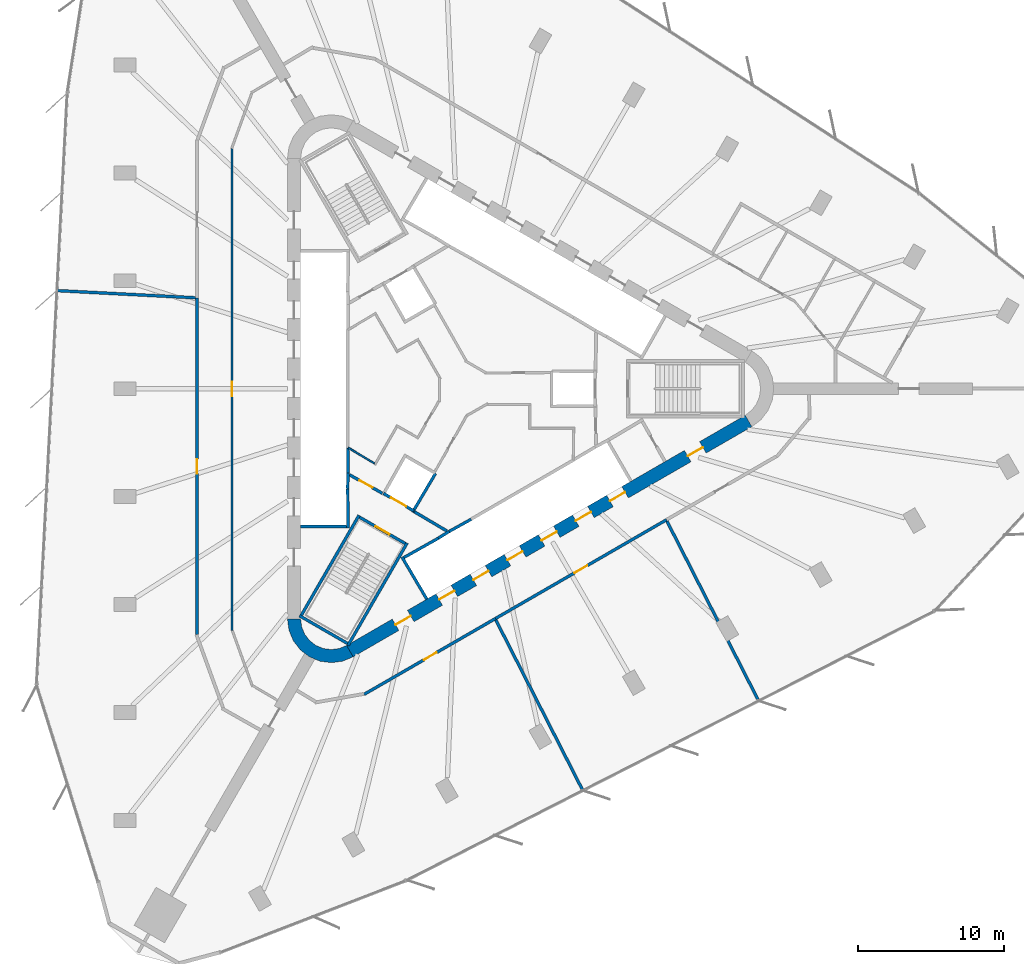
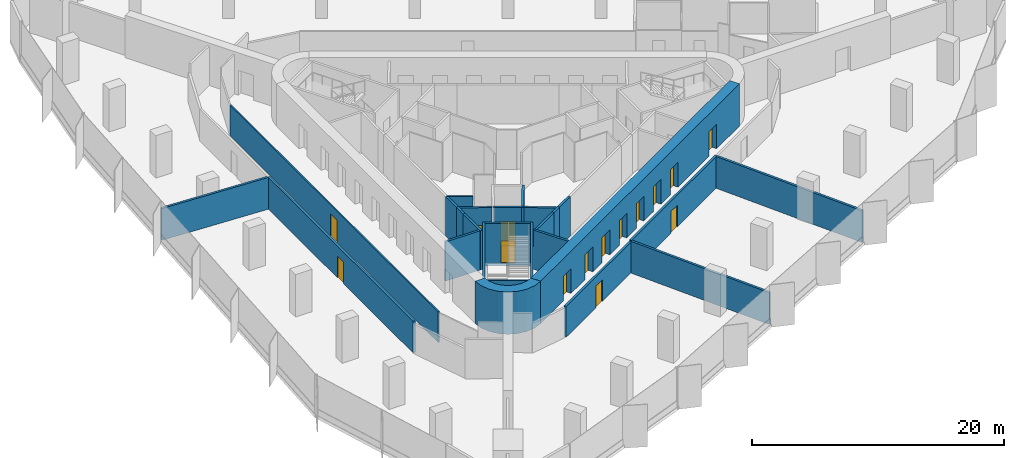
# One storey, part 9 of 14: 26 walls, 15 doors, 15 openings.
"""IFC4 building model written with IfcOpenShell, lengths in metres."""

from ifc_helpers import new_model, si_unit, direction, frame, frame_2d, origin, place, context, subcontext, project, spatial, polyline, rectangle, outline, extrude, material, layer, layer_set, type_object, element, fill, save


model = new_model("IFC4")

# Units and contexts
model_context = context("Model", 3, precision=1e-05, world=origin(), true_north=direction((0.0, 1.0)))
body_context = subcontext(model_context, "Body", "Model", "MODEL_VIEW")
ifc_project = project(units=[si_unit("LENGTHUNIT", "METRE"), si_unit("AREAUNIT", "SQUARE_METRE"), si_unit("VOLUMEUNIT", "CUBIC_METRE"), si_unit("PLANEANGLEUNIT", "RADIAN"), si_unit("MASSUNIT", "GRAM", prefix="KILO")], contexts=[model_context])

# Site, building, storey
site_placement = place(None, origin())
site = spatial("IfcSite", under=ifc_project, at=site_placement, CompositionType="ELEMENT")
building_placement = place(site_placement, origin())
building = spatial("IfcBuilding", under=site, at=building_placement, Name="Tanit Gate Tower", CompositionType="ELEMENT")
storey_placement = place(building_placement, frame((0.0, 0.0, 78.300048828125)))
storey = spatial("IfcBuildingStorey", under=building, at=storey_placement, Name="L15", CompositionType="ELEMENT", Elevation=78.300048828125)

# Wall, openings, doors
ifc_material_1 = material(Name="Concrete C60/75", Category="concrete")
ifc_layer_1 = layer(ifc_material_1, 0.89990234375)
ifc_layer_set_1 = layer_set([ifc_layer_1], Name="CORE WALL 900 C60/75")
wall_type_1 = type_object("IfcWallType", Name="CORE WALL 900 C60/75", PredefinedType="SHEAR", material=ifc_layer_set_1)
wall_1_placement = place(storey_placement, frame((-7.824951171875, -17.969970703125, 0.0), z_axis=(0.0, 0.0, 1.0), x_axis=(0.866028369851, 0.499994862586, 0.0)))
wall_1 = element("IfcWall", 1, at=wall_1_placement, inside=storey, type_object=wall_type_1, Name="CORE WALL", PredefinedType="SHEAR", context=body_context, shape_type="SweptSolid", body=[
    extrude(rectangle(XDim=31.523193359375, YDim=0.89990234375, at=frame_2d((15.76171875, 0.0))), origin(), (0.0, 0.0, 1.0), 4.099853515625),
])
opening_1_placement = place(wall_1_placement, frame((7.061767578125, 0.0, 0.0)))
opening_1 = element("IfcOpeningElement", 2, at=opening_1_placement, cuts=wall_1, Name="Opening LDSX1-S02", PredefinedType="OPENING", context=body_context, shape_type="SweptSolid", body=[
    extrude(rectangle(XDim=1.199951171875, YDim=2.39990234375, at=frame_2d((0.60009765625, 1.199951171875))), frame((0.0, 0.4599609375, 0.0), z_axis=(0.0, -1.0, 0.0), x_axis=(1.0, 0.0, 0.0)), (0.0, 0.0, 1.0), 0.919921875),
])
opening_2_placement = place(wall_1_placement, frame((9.76171875, 0.0, 0.0)))
opening_2 = element("IfcOpeningElement", 3, at=opening_2_placement, cuts=wall_1, Name="Opening LDSX2-S02", PredefinedType="OPENING", context=body_context, shape_type="SweptSolid", body=[
    extrude(rectangle(XDim=1.199951171875, YDim=2.39990234375, at=frame_2d((0.60009765625, 1.199951171875))), frame((0.0, 0.4599609375, 0.0), z_axis=(0.0, -1.0, 0.0), x_axis=(1.0, 0.0, 0.0)), (0.0, 0.0, 1.0), 0.919921875),
])
opening_3_placement = place(wall_1_placement, frame((12.461669921875, 0.0, 0.0)))
opening_3 = element("IfcOpeningElement", 4, at=opening_3_placement, cuts=wall_1, Name="Opening LDSX3-S02", PredefinedType="OPENING", context=body_context, shape_type="SweptSolid", body=[
    extrude(rectangle(XDim=1.199951171875, YDim=2.39990234375, at=frame_2d((0.60009765625, 1.199951171875))), frame((0.0, 0.4599609375, 0.0), z_axis=(0.0, -1.0, 0.0), x_axis=(1.0, 0.0, 0.0)), (0.0, 0.0, 1.0), 0.919921875),
])
opening_4_placement = place(wall_1_placement, frame((15.16162109375, 0.0, 0.0)))
opening_4 = element("IfcOpeningElement", 5, at=opening_4_placement, cuts=wall_1, Name="Opening LDSX4-S02", PredefinedType="OPENING", context=body_context, shape_type="SweptSolid", body=[
    extrude(rectangle(XDim=1.199951171875, YDim=2.39990234375, at=frame_2d((0.60009765625, 1.199951171875))), frame((0.0, 0.4599609375, 0.0), z_axis=(0.0, -1.0, 0.0), x_axis=(1.0, 0.0, 0.0)), (0.0, 0.0, 1.0), 0.919921875),
])
opening_5_placement = place(wall_1_placement, frame((17.861572265625, 0.0, 0.0)))
opening_5 = element("IfcOpeningElement", 6, at=opening_5_placement, cuts=wall_1, Name="Opening LDSV1-S02", PredefinedType="OPENING", context=body_context, shape_type="SweptSolid", body=[
    extrude(rectangle(XDim=1.199951171875, YDim=2.39990234375, at=frame_2d((0.60009765625, 1.199951171875))), frame((0.0, 0.4599609375, 0.0), z_axis=(0.0, -1.0, 0.0), x_axis=(1.0, 0.0, 0.0)), (0.0, 0.0, 1.0), 0.919921875),
])
opening_6_placement = place(wall_1_placement, frame((20.561767578125, 0.0, 0.0)))
opening_6 = element("IfcOpeningElement", 7, at=opening_6_placement, cuts=wall_1, Name="Opening LDSV2-S02", PredefinedType="OPENING", context=body_context, shape_type="SweptSolid", body=[
    extrude(rectangle(XDim=1.199951171875, YDim=2.39990234375, at=frame_2d((0.60009765625, 1.199951171875))), frame((0.0, 0.4599609375, 0.0), z_axis=(0.0, -1.0, 0.0), x_axis=(1.0, 0.0, 0.0)), (0.0, 0.0, 1.0), 0.919921875),
])
opening_7_placement = place(wall_1_placement, frame((26.711669921875, 0.0, 0.0)))
opening_7 = element("IfcOpeningElement", 8, at=opening_7_placement, cuts=wall_1, Name="Opening F12-S02-S1", PredefinedType="OPENING", context=body_context, shape_type="SweptSolid", body=[
    extrude(rectangle(XDim=1.199951171875, YDim=2.39990234375, at=frame_2d((0.60009765625, 1.199951171875))), frame((0.0, 0.4599609375, 0.0), z_axis=(0.0, -1.0, 0.0), x_axis=(1.0, 0.0, 0.0)), (0.0, 0.0, 1.0), 0.919921875),
])
opening_8_placement = place(wall_1_placement, frame((3.611572265625, 0.0, 0.0)))
opening_8 = element("IfcOpeningElement", 9, at=opening_8_placement, cuts=wall_1, Name="Opening F12-S02-FL3", PredefinedType="OPENING", context=body_context, shape_type="SweptSolid", body=[
    extrude(rectangle(XDim=1.199951171875, YDim=2.39990234375, at=frame_2d((0.60009765625, 1.199951171875))), frame((0.0, 0.4599609375, 0.0), z_axis=(0.0, -1.0, 0.0), x_axis=(1.0, 0.0, 0.0)), (0.0, 0.0, 1.0), 0.919921875),
])
ifc_material_2 = material(Name="Fire-rated steel door leaf", Category="steel")
door_type_1 = type_object("IfcDoorType", Name="INT-DOOR-FIRE-LOBBY-1200", OperationType="NOTDEFINED", PredefinedType="USERDEFINED", material=ifc_material_2)
door_1_placement = place(opening_7_placement, origin())
door_1 = element("IfcDoor", 10, at=door_1_placement, inside=storey, type_object=door_type_1, Name="Door F12-S02-S1", ObjectType="FIRE DOOR", OperationType="SINGLE_SWING_RIGHT", OverallHeight=2.39990234375, OverallWidth=1.199951171875, PredefinedType="USERDEFINED", context=body_context, shape_type="SweptSolid", body=[
    extrude(rectangle(XDim=1.199951171875, YDim=2.39990234375, at=frame_2d((0.60009765625, 1.199951171875))), frame((0.0, 0.02490234375, 0.0), z_axis=(0.0, -1.0, 0.0), x_axis=(1.0, 0.0, 0.0)), (0.0, 0.0, 1.0), 0.050048828125),
])
fill(opening_7, door_1)
door_2_placement = place(opening_8_placement, origin())
door_2 = element("IfcDoor", 11, at=door_2_placement, inside=storey, type_object=door_type_1, Name="Door F12-S02-FL3", ObjectType="FIRE DOOR", OperationType="SINGLE_SWING_RIGHT", OverallHeight=2.39990234375, OverallWidth=1.199951171875, PredefinedType="USERDEFINED", context=body_context, shape_type="SweptSolid", body=[
    extrude(rectangle(XDim=1.199951171875, YDim=2.39990234375, at=frame_2d((0.60009765625, 1.199951171875))), frame((0.0, 0.02490234375, 0.0), z_axis=(0.0, -1.0, 0.0), x_axis=(1.0, 0.0, 0.0)), (0.0, 0.0, 1.0), 0.050048828125),
])
fill(opening_8, door_2)
ifc_material_3 = material(Name="Stainless steel sliding door leaf", Category="steel")
door_type_2 = type_object("IfcDoorType", Name="INT-DOOR-LANDING-1200", OperationType="NOTDEFINED", PredefinedType="USERDEFINED", material=ifc_material_3)
door_3_placement = place(opening_1_placement, origin())
door_3 = element("IfcDoor", 12, at=door_3_placement, inside=storey, type_object=door_type_2, Name="Door LDSX1-S02", ObjectType="LANDING DOOR", OperationType="SLIDING_TO_LEFT", OverallHeight=2.39990234375, OverallWidth=1.199951171875, PredefinedType="USERDEFINED", context=body_context, shape_type="SweptSolid", body=[
    extrude(rectangle(XDim=1.199951171875, YDim=2.39990234375, at=frame_2d((0.60009765625, 1.199951171875))), frame((0.0, 0.02490234375, 0.0), z_axis=(0.0, -1.0, 0.0), x_axis=(1.0, 0.0, 0.0)), (0.0, 0.0, 1.0), 0.050048828125),
])
fill(opening_1, door_3)
door_4_placement = place(opening_2_placement, origin())
door_4 = element("IfcDoor", 13, at=door_4_placement, inside=storey, type_object=door_type_2, Name="Door LDSX2-S02", ObjectType="LANDING DOOR", OperationType="SLIDING_TO_LEFT", OverallHeight=2.39990234375, OverallWidth=1.199951171875, PredefinedType="USERDEFINED", context=body_context, shape_type="SweptSolid", body=[
    extrude(rectangle(XDim=1.199951171875, YDim=2.39990234375, at=frame_2d((0.60009765625, 1.199951171875))), frame((0.0, 0.02490234375, 0.0), z_axis=(0.0, -1.0, 0.0), x_axis=(1.0, 0.0, 0.0)), (0.0, 0.0, 1.0), 0.050048828125),
])
fill(opening_2, door_4)
door_5_placement = place(opening_3_placement, origin())
door_5 = element("IfcDoor", 14, at=door_5_placement, inside=storey, type_object=door_type_2, Name="Door LDSX3-S02", ObjectType="LANDING DOOR", OperationType="SLIDING_TO_LEFT", OverallHeight=2.39990234375, OverallWidth=1.199951171875, PredefinedType="USERDEFINED", context=body_context, shape_type="SweptSolid", body=[
    extrude(rectangle(XDim=1.199951171875, YDim=2.39990234375, at=frame_2d((0.60009765625, 1.199951171875))), frame((0.0, 0.02490234375, 0.0), z_axis=(0.0, -1.0, 0.0), x_axis=(1.0, 0.0, 0.0)), (0.0, 0.0, 1.0), 0.050048828125),
])
fill(opening_3, door_5)
door_6_placement = place(opening_4_placement, origin())
door_6 = element("IfcDoor", 15, at=door_6_placement, inside=storey, type_object=door_type_2, Name="Door LDSX4-S02", ObjectType="LANDING DOOR", OperationType="SLIDING_TO_LEFT", OverallHeight=2.39990234375, OverallWidth=1.199951171875, PredefinedType="USERDEFINED", context=body_context, shape_type="SweptSolid", body=[
    extrude(rectangle(XDim=1.199951171875, YDim=2.39990234375, at=frame_2d((0.60009765625, 1.199951171875))), frame((0.0, 0.02490234375, 0.0), z_axis=(0.0, -1.0, 0.0), x_axis=(1.0, 0.0, 0.0)), (0.0, 0.0, 1.0), 0.050048828125),
])
fill(opening_4, door_6)
door_7_placement = place(opening_5_placement, origin())
door_7 = element("IfcDoor", 16, at=door_7_placement, inside=storey, type_object=door_type_2, Name="Door LDSV1-S02", ObjectType="LANDING DOOR", OperationType="SLIDING_TO_LEFT", OverallHeight=2.39990234375, OverallWidth=1.199951171875, PredefinedType="USERDEFINED", context=body_context, shape_type="SweptSolid", body=[
    extrude(rectangle(XDim=1.199951171875, YDim=2.39990234375, at=frame_2d((0.60009765625, 1.199951171875))), frame((0.0, 0.02490234375, 0.0), z_axis=(0.0, -1.0, 0.0), x_axis=(1.0, 0.0, 0.0)), (0.0, 0.0, 1.0), 0.050048828125),
])
fill(opening_5, door_7)
door_8_placement = place(opening_6_placement, origin())
door_8 = element("IfcDoor", 17, at=door_8_placement, inside=storey, type_object=door_type_2, Name="Door LDSV2-S02", ObjectType="LANDING DOOR", OperationType="SLIDING_TO_LEFT", OverallHeight=2.39990234375, OverallWidth=1.199951171875, PredefinedType="USERDEFINED", context=body_context, shape_type="SweptSolid", body=[
    extrude(rectangle(XDim=1.199951171875, YDim=2.39990234375, at=frame_2d((0.60009765625, 1.199951171875))), frame((0.0, 0.02490234375, 0.0), z_axis=(0.0, -1.0, 0.0), x_axis=(1.0, 0.0, 0.0)), (0.0, 0.0, 1.0), 0.050048828125),
])
fill(opening_6, door_8)

# Walls
wall_2_placement = place(storey_placement, origin())
element("IfcWall", 18, at=wall_2_placement, inside=storey, type_object=wall_type_1, Name="CORE WALL CORNER", PredefinedType="SHEAR", context=body_context, shape_type="SweptSolid", body=[
    extrude(outline(polyline([(-12.10009765625, -15.76171875), (-11.997802734375, -16.5380859375), (-11.697998046875, -17.26171875), (-11.22119140625, -17.883056640625), (-10.60009765625, -18.359619140625), (-9.87646484375, -18.659423828125), (-9.10009765625, -18.76171875), (-8.323486328125, -18.659423828125), (-7.60009765625, -18.359619140625), (-8.050048828125, -17.580322265625), (-8.556396484375, -17.7900390625), (-9.10009765625, -17.86181640625), (-9.6435546875, -17.7900390625), (-10.14990234375, -17.580322265625), (-10.5849609375, -17.24658203125), (-10.918701171875, -16.811767578125), (-11.12841796875, -16.30517578125), (-11.199951171875, -15.76171875), (-12.10009765625, -15.76171875)])), origin(), (0.0, 0.0, 1.0), 4.099853515625),
])
ifc_material_4 = material(Name="Fire-rated gypsum board partition")
ifc_layer_2 = layer(ifc_material_4, 0.199951171875)
ifc_layer_set_2 = layer_set([ifc_layer_2], Name="INT-WALL-COMPARTMENT")
wall_type_2 = type_object("IfcWallType", Name="INT-WALL-COMPARTMENT", PredefinedType="PARTITIONING", material=ifc_layer_set_2)
wall_3_placement = place(storey_placement, frame((-3.400634765625, -8.43017578125, 0.0), z_axis=(0.0, 0.0, 1.0), x_axis=(0.860615607571, -0.509255118781, 0.0)))
element("IfcWall", 19, at=wall_3_placement, inside=storey, type_object=wall_type_2, Name="Wall Compartment W063", PredefinedType="PARTITIONING", context=body_context, shape_type="SweptSolid", body=[
    extrude(rectangle(XDim=2.58056640625, YDim=0.199951171875, at=frame_2d((1.290283203125, 0.0))), origin(), (0.0, 0.0, 1.0), 3.800048828125),
])

# Wall, opening, door
wall_4_placement = place(storey_placement, frame((-7.849365234375, -5.893798828125, 0.0), z_axis=(0.0, 0.0, 1.0), x_axis=(0.871363259478, -0.490638431059, 0.0)))
wall_4 = element("IfcWall", 20, at=wall_4_placement, inside=storey, type_object=wall_type_2, Name="Wall Compartment W064", PredefinedType="PARTITIONING", context=body_context, shape_type="SweptSolid", body=[
    extrude(rectangle(XDim=2.5810546875, YDim=0.199951171875, at=frame_2d((1.29052734375, 0.0))), origin(), (0.0, 0.0, 1.0), 3.800048828125),
])
opening_9_placement = place(wall_4_placement, frame((0.79052734375, 0.0, 0.0)))
opening_9 = element("IfcOpeningElement", 21, at=opening_9_placement, cuts=wall_4, Name="Opening F10-S02-08", PredefinedType="OPENING", context=body_context, shape_type="SweptSolid", body=[
    extrude(rectangle(XDim=1.0, YDim=2.10009765625, at=frame_2d((0.5, 1.050048828125))), frame((0.0, 0.10986328125, 0.0), z_axis=(0.0, -1.0, 0.0), x_axis=(1.0, 0.0, 0.0)), (0.0, 0.0, 1.0), 0.219970703125),
])
ifc_material_5 = material(Name="Fire-rated steel door leaf", Category="steel")
door_type_3 = type_object("IfcDoorType", Name="INT-DOOR-FIRE-1000", OperationType="NOTDEFINED", PredefinedType="USERDEFINED", material=ifc_material_5)
door_9_placement = place(opening_9_placement, origin())
door_9 = element("IfcDoor", 22, at=door_9_placement, inside=storey, type_object=door_type_3, Name="Door F10-S02-08", ObjectType="FIRE DOOR", OperationType="SINGLE_SWING_LEFT", OverallHeight=2.10009765625, OverallWidth=1.0, PredefinedType="USERDEFINED", context=body_context, shape_type="SweptSolid", body=[
    extrude(rectangle(XDim=1.0, YDim=2.10009765625, at=frame_2d((0.5, 1.050048828125))), frame((0.0, 0.02490234375, 0.0), z_axis=(0.0, -1.0, 0.0), x_axis=(1.0, 0.0, 0.0)), (0.0, 0.0, 1.0), 0.050048828125),
])
fill(opening_9, door_9)

wall_5_placement = place(storey_placement, frame((-18.300048828125, 6.198974609375, 0.0), z_axis=(0.0, 0.0, 1.0), x_axis=(0.0, -1.0, 0.0)))
wall_5 = element("IfcWall", 23, at=wall_5_placement, inside=storey, type_object=wall_type_2, Name="Wall Compartment W090", PredefinedType="PARTITIONING", context=body_context, shape_type="SweptSolid", body=[
    extrude(rectangle(XDim=23.033203125, YDim=0.199951171875, at=frame_2d((11.5166015625, 0.0))), origin(), (0.0, 0.0, 1.0), 3.079833984375),
])
opening_10_placement = place(wall_5_placement, frame((11.0166015625, 0.0, 0.0)))
opening_10 = element("IfcOpeningElement", 24, at=opening_10_placement, cuts=wall_5, Name="Opening F10-S02-19", PredefinedType="OPENING", context=body_context, shape_type="SweptSolid", body=[
    extrude(rectangle(XDim=1.0, YDim=2.10009765625, at=frame_2d((0.5, 1.050048828125))), frame((0.0, 0.10986328125, 0.0), z_axis=(0.0, -1.0, 0.0), x_axis=(1.0, 0.0, 0.0)), (0.0, 0.0, 1.0), 0.219970703125),
])
door_10_placement = place(opening_10_placement, origin())
door_10 = element("IfcDoor", 25, at=door_10_placement, inside=storey, type_object=door_type_3, Name="Door F10-S02-19", ObjectType="FIRE DOOR", OperationType="SINGLE_SWING_RIGHT", OverallHeight=2.10009765625, OverallWidth=1.0, PredefinedType="USERDEFINED", context=body_context, shape_type="SweptSolid", body=[
    extrude(rectangle(XDim=1.0, YDim=2.10009765625, at=frame_2d((0.5, 1.050048828125))), frame((0.0, 0.02490234375, 0.0), z_axis=(0.0, -1.0, 0.0), x_axis=(1.0, 0.0, 0.0)), (0.0, 0.0, 1.0), 0.050048828125),
])
fill(opening_10, door_10)

wall_6_placement = place(storey_placement, frame((-6.852294921875, -20.930419921875, 0.0), z_axis=(0.0, 0.0, 1.0), x_axis=(0.866021591072, 0.500006603753, 0.0)))
wall_6 = element("IfcWall", 26, at=wall_6_placement, inside=storey, type_object=wall_type_2, Name="Wall Compartment W106", PredefinedType="PARTITIONING", context=body_context, shape_type="SweptSolid", body=[
    extrude(rectangle(XDim=10.387451171875, YDim=0.199951171875, at=frame_2d((5.19384765625, 0.0))), origin(), (0.0, 0.0, 1.0), 2.97998046875),
])
opening_11_placement = place(wall_6_placement, frame((4.732421875, 0.0, 0.0)))
opening_11 = element("IfcOpeningElement", 27, at=opening_11_placement, cuts=wall_6, Name="Opening F10-S02-24", PredefinedType="OPENING", context=body_context, shape_type="SweptSolid", body=[
    extrude(rectangle(XDim=1.0, YDim=2.10009765625, at=frame_2d((0.5, 1.050048828125))), frame((0.0, 0.10986328125, 0.0), z_axis=(0.0, -1.0, 0.0), x_axis=(1.0, 0.0, 0.0)), (0.0, 0.0, 1.0), 0.219970703125),
])
door_11_placement = place(opening_11_placement, origin())
door_11 = element("IfcDoor", 28, at=door_11_placement, inside=storey, type_object=door_type_3, Name="Door F10-S02-24", ObjectType="FIRE DOOR", OperationType="SINGLE_SWING_LEFT", OverallHeight=2.10009765625, OverallWidth=1.0, PredefinedType="USERDEFINED", context=body_context, shape_type="SweptSolid", body=[
    extrude(rectangle(XDim=1.0, YDim=2.10009765625, at=frame_2d((0.5, 1.050048828125))), frame((0.0, 0.02490234375, 0.0), z_axis=(0.0, -1.0, 0.0), x_axis=(1.0, 0.0, 0.0)), (0.0, 0.0, 1.0), 0.050048828125),
])
fill(opening_11, door_11)

wall_7_placement = place(storey_placement, frame((2.1435546875, -15.736572265625, 0.0), z_axis=(0.0, 0.0, 1.0), x_axis=(0.866019431537, 0.500010344094, 0.0)))
wall_7 = element("IfcWall", 29, at=wall_7_placement, inside=storey, type_object=wall_type_2, Name="Wall Compartment W105", PredefinedType="PARTITIONING", context=body_context, shape_type="SweptSolid", body=[
    extrude(rectangle(XDim=13.531494140625, YDim=0.199951171875, at=frame_2d((6.765625, 0.0))), origin(), (0.0, 0.0, 1.0), 3.079833984375),
])
opening_12_placement = place(wall_7_placement, frame((6.25439453125, 0.0, 0.0)))
opening_12 = element("IfcOpeningElement", 30, at=opening_12_placement, cuts=wall_7, Name="Opening F10-S02-23", PredefinedType="OPENING", context=body_context, shape_type="SweptSolid", body=[
    extrude(rectangle(XDim=1.0, YDim=2.10009765625, at=frame_2d((0.5, 1.050048828125))), frame((0.0, 0.10986328125, 0.0), z_axis=(0.0, -1.0, 0.0), x_axis=(1.0, 0.0, 0.0)), (0.0, 0.0, 1.0), 0.219970703125),
])
door_12_placement = place(opening_12_placement, origin())
door_12 = element("IfcDoor", 31, at=door_12_placement, inside=storey, type_object=door_type_3, Name="Door F10-S02-23", ObjectType="FIRE DOOR", OperationType="SINGLE_SWING_RIGHT", OverallHeight=2.10009765625, OverallWidth=1.0, PredefinedType="USERDEFINED", context=body_context, shape_type="SweptSolid", body=[
    extrude(rectangle(XDim=1.0, YDim=2.10009765625, at=frame_2d((0.5, 1.050048828125))), frame((0.0, 0.02490234375, 0.0), z_axis=(0.0, -1.0, 0.0), x_axis=(1.0, 0.0, 0.0)), (0.0, 0.0, 1.0), 0.050048828125),
])
fill(opening_12, door_12)

# Walls
wall_8_placement = place(storey_placement, frame((-18.39990234375, 6.226806640625, 0.0), z_axis=(0.0, 0.0, 1.0), x_axis=(-0.998654739652, 0.051852781702, 0.0)))
element("IfcWall", 32, at=wall_8_placement, inside=storey, type_object=wall_type_2, Name="Wall Compartment W109", PredefinedType="PARTITIONING", context=body_context, shape_type="SweptSolid", body=[
    extrude(rectangle(XDim=9.491943359375, YDim=0.199951171875, at=frame_2d((4.74609375, 0.0))), origin(), (0.0, 0.0, 1.0), 3.079833984375),
])
wall_9_placement = place(storey_placement, frame((13.887939453125, -9.0712890625, 0.0), z_axis=(0.0, 0.0, 1.0), x_axis=(0.454417909926, -0.890788618663, 0.0)))
element("IfcWall", 33, at=wall_9_placement, inside=storey, type_object=wall_type_2, Name="Wall Compartment W123", PredefinedType="PARTITIONING", context=body_context, shape_type="SweptSolid", body=[
    extrude(rectangle(XDim=13.79833984375, YDim=0.199951171875, at=frame_2d((6.899169921875, 0.0))), origin(), (0.0, 0.0, 1.0), 3.079833984375),
])
wall_10_placement = place(storey_placement, frame((8.12060546875, -27.50341796875, 0.0), z_axis=(0.0, 0.0, 1.0), x_axis=(-0.454409665836, 0.890792824171, 0.0)))
element("IfcWall", 34, at=wall_10_placement, inside=storey, type_object=wall_type_2, Name="Wall Compartment W124", PredefinedType="PARTITIONING", context=body_context, shape_type="SweptSolid", body=[
    extrude(rectangle(XDim=13.096435546875, YDim=0.199951171875, at=frame_2d((6.54833984375, 0.0))), origin(), (0.0, 0.0, 1.0), 3.079833984375),
])
ifc_material_6 = material(Name="Gypsum board partition")
ifc_layer_3 = layer(ifc_material_6, 0.1201171875)
ifc_layer_set_3 = layer_set([ifc_layer_3], Name="INT-WALL-PARTITION")
wall_type_3 = type_object("IfcWallType", Name="INT-WALL-PARTITION", PredefinedType="PARTITIONING", material=ifc_layer_set_3)
wall_11_placement = place(storey_placement, frame((-7.949951171875, -4.041015625, 0.0), z_axis=(0.0, 0.0, 1.0), x_axis=(0.860112457103, -0.510104461004, 0.0)))
element("IfcWall", 35, at=wall_11_placement, inside=storey, type_object=wall_type_3, Name="Wall Partition W082", PredefinedType="PARTITIONING", context=body_context, shape_type="SweptSolid", body=[
    extrude(rectangle(XDim=2.1044921875, YDim=0.1201171875, at=frame_2d((1.05224609375, 0.0))), origin(), (0.0, 0.0, 1.0), 3.800048828125),
])

# Wall, opening, door
wall_12_placement = place(storey_placement, frame((-15.89990234375, 16.451171875, 0.0), z_axis=(0.0, 0.0, 1.0), x_axis=(0.0, -1.0, 0.0)))
wall_12 = element("IfcWall", 36, at=wall_12_placement, inside=storey, type_object=wall_type_3, Name="Wall Partition W085", PredefinedType="PARTITIONING", context=body_context, shape_type="SweptSolid", body=[
    extrude(rectangle(XDim=33.022216796875, YDim=0.1201171875, at=frame_2d((16.51123046875, 0.0))), origin(), (0.0, 0.0, 1.0), 2.97998046875),
])
opening_13_placement = place(wall_12_placement, frame((15.981201171875, 0.0, 0.0)))
opening_13 = element("IfcOpeningElement", 37, at=opening_13_placement, cuts=wall_12, Name="Opening D10-S02-14", PredefinedType="OPENING", context=body_context, shape_type="SweptSolid", body=[
    extrude(rectangle(XDim=1.0, YDim=2.10009765625, at=frame_2d((0.5, 1.050048828125))), frame((0.0, 0.070068359375, 0.0), z_axis=(0.0, -1.0, 0.0), x_axis=(1.0, 0.0, 0.0)), (0.0, 0.0, 1.0), 0.14013671875),
])
ifc_material_7 = material(Name="Timber door leaf", Category="wood")
door_type_4 = type_object("IfcDoorType", Name="INT-DOOR-SINGLE-1000", OperationType="NOTDEFINED", PredefinedType="NOTDEFINED", material=ifc_material_7)
door_13_placement = place(opening_13_placement, origin())
door_13 = element("IfcDoor", 38, at=door_13_placement, inside=storey, type_object=door_type_4, Name="Door D10-S02-14", OperationType="SINGLE_SWING_RIGHT", OverallHeight=2.10009765625, OverallWidth=1.0, PredefinedType="NOTDEFINED", context=body_context, shape_type="SweptSolid", body=[
    extrude(rectangle(XDim=1.0, YDim=2.10009765625, at=frame_2d((0.5, 1.050048828125))), frame((0.0, 0.02490234375, 0.0), z_axis=(0.0, -1.0, 0.0), x_axis=(1.0, 0.0, 0.0)), (0.0, 0.0, 1.0), 0.050048828125),
])
fill(opening_13, door_13)

# Walls
ifc_material_8 = material(Name="Gypsum shaft wall system")
ifc_layer_4 = layer(ifc_material_8, 0.199951171875)
ifc_layer_set_4 = layer_set([ifc_layer_4], Name="INT-WALL-SHAFT")
wall_type_4 = type_object("IfcWallType", Name="INT-WALL-SHAFT", PredefinedType="PLUMBINGWALL", material=ifc_layer_set_4)
wall_13_placement = place(storey_placement, frame((-7.949951171875, -5.7724609375, 0.0), z_axis=(0.0, 0.0, 1.0), x_axis=(-0.030803413295, -0.999525462272, 0.0)))
element("IfcWall", 39, at=wall_13_placement, inside=storey, type_object=wall_type_4, Name="Wall Shaft W009", PredefinedType="PLUMBINGWALL", context=body_context, shape_type="SweptSolid", body=[
    extrude(rectangle(XDim=1.077880859375, YDim=0.199951171875, at=frame_2d((0.5390625, 0.0))), origin(), (0.0, 0.0, 1.0), 3.800048828125),
])
wall_14_placement = place(storey_placement, frame((-7.971435546875, -4.050048828125, 0.0), z_axis=(0.0, 0.0, 1.0), x_axis=(0.012042535896, -0.999927486035, 0.0)))
element("IfcWall", 40, at=wall_14_placement, inside=storey, type_object=wall_type_4, Name="Wall Shaft W010", PredefinedType="PLUMBINGWALL", context=body_context, shape_type="SweptSolid", body=[
    extrude(rectangle(XDim=1.844970703125, YDim=0.199951171875, at=frame_2d((0.92236328125, 0.0))), origin(), (0.0, 0.0, 1.0), 3.800048828125),
])
wall_15_placement = place(storey_placement, frame((-7.97900390625, -6.85009765625, 0.0), z_axis=(0.0, 0.0, 1.0), x_axis=(0.011121475088, -0.999938154483, 0.0)))
element("IfcWall", 41, at=wall_15_placement, inside=storey, type_object=wall_type_4, Name="Wall Shaft W011", PredefinedType="PLUMBINGWALL", context=body_context, shape_type="SweptSolid", body=[
    extrude(rectangle(XDim=2.7001953125, YDim=0.199951171875, at=frame_2d((1.35009765625, 0.0))), origin(), (0.0, 0.0, 1.0), 3.800048828125),
])
wall_16_placement = place(storey_placement, frame((-8.050048828125, -9.448974609375, 0.0), z_axis=(0.0, 0.0, 1.0), x_axis=(-0.999957467379, 0.009222983926, 0.0)))
element("IfcWall", 42, at=wall_16_placement, inside=storey, type_object=wall_type_4, Name="Wall Shaft W012", PredefinedType="PLUMBINGWALL", context=body_context, shape_type="SweptSolid", body=[
    extrude(rectangle(XDim=3.150146484375, YDim=0.199951171875, at=frame_2d((1.5751953125, 0.0))), origin(), (0.0, 0.0, 1.0), 3.800048828125),
])
wall_17_placement = place(storey_placement, frame((-2.557861328125, -14.409423828125, 0.0), z_axis=(0.0, 0.0, 1.0), x_axis=(-0.507997497166, 0.861358544901, 0.0)))
element("IfcWall", 43, at=wall_17_placement, inside=storey, type_object=wall_type_4, Name="Wall Shaft W027", PredefinedType="PLUMBINGWALL", context=body_context, shape_type="SweptSolid", body=[
    extrude(rectangle(XDim=3.350341796875, YDim=0.199951171875, at=frame_2d((1.67529296875, 0.0))), origin(), (0.0, 0.0, 1.0), 3.800048828125),
])
wall_18_placement = place(storey_placement, frame((-1.7685546875, -10.23681640625, 0.0), z_axis=(0.0, 0.0, 1.0), x_axis=(-0.871534483978, -0.490334215854, 0.0)))
element("IfcWall", 44, at=wall_18_placement, inside=storey, type_object=wall_type_4, Name="Wall Shaft W028", PredefinedType="PLUMBINGWALL", context=body_context, shape_type="SweptSolid", body=[
    extrude(rectangle(XDim=2.7001953125, YDim=0.199951171875, at=frame_2d((1.35009765625, 0.0))), origin(), (0.0, 0.0, 1.0), 3.800048828125),
])
wall_19_placement = place(storey_placement, frame((-1.02392578125, -9.77099609375, 0.0), z_axis=(0.0, 0.0, 1.0), x_axis=(-0.850348075135, -0.526220629693, 0.0)))
element("IfcWall", 45, at=wall_19_placement, inside=storey, type_object=wall_type_4, Name="Wall Shaft W029", PredefinedType="PLUMBINGWALL", context=body_context, shape_type="SweptSolid", body=[
    extrude(rectangle(XDim=0.878173828125, YDim=0.199951171875, at=frame_2d((0.43896484375, 0.0))), origin(), (0.0, 0.0, 1.0), 3.800048828125),
])
wall_20_placement = place(storey_placement, frame((-1.130126953125, -9.831298828125, 0.0), z_axis=(0.0, 0.0, 1.0), x_axis=(0.874269620932, 0.485440655401, 0.0)))
element("IfcWall", 46, at=wall_20_placement, inside=storey, type_object=wall_type_4, Name="Wall Shaft W030", PredefinedType="PLUMBINGWALL", context=body_context, shape_type="SweptSolid", body=[
    extrude(rectangle(XDim=1.8447265625, YDim=0.199951171875, at=frame_2d((0.92236328125, 0.0))), origin(), (0.0, 0.0, 1.0), 3.800048828125),
])

# Wall, opening, door
wall_21_placement = place(storey_placement, frame((-3.44580078125, -8.3681640625, 0.0), z_axis=(0.0, 0.0, 1.0), x_axis=(-0.866024647952, 0.500001309137, 0.0)))
wall_21 = element("IfcWall", 47, at=wall_21_placement, inside=storey, type_object=wall_type_4, Name="Wall Shaft W053", PredefinedType="PLUMBINGWALL", context=body_context, shape_type="SweptSolid", body=[
    extrude(rectangle(XDim=2.39990234375, YDim=0.199951171875, at=frame_2d((1.199951171875, 0.0))), origin(), (0.0, 0.0, 1.0), 3.800048828125),
])
opening_14_placement = place(wall_21_placement, frame((0.60009765625, 0.0, 0.0)))
opening_14 = element("IfcOpeningElement", 48, at=opening_14_placement, cuts=wall_21, Name="Opening LDFL3-L15", PredefinedType="OPENING", context=body_context, shape_type="SweptSolid", body=[
    extrude(rectangle(XDim=1.199951171875, YDim=2.39990234375, at=frame_2d((0.60009765625, 1.199951171875))), frame((0.0, 0.10986328125, 0.0), z_axis=(0.0, -1.0, 0.0), x_axis=(1.0, 0.0, 0.0)), (0.0, 0.0, 1.0), 0.219970703125),
])
door_14_placement = place(opening_14_placement, origin())
door_14 = element("IfcDoor", 49, at=door_14_placement, inside=storey, type_object=door_type_2, Name="Door LDFL3-L15", ObjectType="LANDING DOOR", OperationType="SLIDING_TO_LEFT", OverallHeight=2.39990234375, OverallWidth=1.199951171875, PredefinedType="USERDEFINED", context=body_context, shape_type="SweptSolid", body=[
    extrude(rectangle(XDim=1.199951171875, YDim=2.39990234375, at=frame_2d((0.60009765625, 1.199951171875))), frame((0.0, 0.02490234375, 0.0), z_axis=(0.0, -1.0, 0.0), x_axis=(1.0, 0.0, 0.0)), (0.0, 0.0, 1.0), 0.050048828125),
])
fill(opening_14, door_14)

# Walls
wall_22_placement = place(storey_placement, frame((-1.960693359375, -5.796142578125, 0.0), z_axis=(0.0, 0.0, 1.0), x_axis=(-0.508647062354, -0.860975125052, 0.0)))
element("IfcWall", 50, at=wall_22_placement, inside=storey, type_object=wall_type_4, Name="Wall Shaft W054", PredefinedType="PLUMBINGWALL", context=body_context, shape_type="SweptSolid", body=[
    extrude(rectangle(XDim=3.10009765625, YDim=0.199951171875, at=frame_2d((1.550048828125, 0.0))), origin(), (0.0, 0.0, 1.0), 3.800048828125),
])
ifc_material_9 = material(Name="Concrete C40/50", Category="concrete")
ifc_layer_5 = layer(ifc_material_9, 0.199951171875)
ifc_layer_set_5 = layer_set([ifc_layer_5], Name="INT-WALL-STAIR")
wall_type_5 = type_object("IfcWallType", Name="INT-WALL-STAIR", PredefinedType="SHEAR", material=ifc_layer_set_5)
wall_23_placement = place(storey_placement, frame((-3.904541015625, -10.56298828125, -0.300048828125), z_axis=(0.0, 0.0, 1.0), x_axis=(-0.500012932018, -0.866017937352, 0.0)))
element("IfcWall", 51, at=wall_23_placement, inside=storey, type_object=wall_type_5, Name="Wall Stair W049", PredefinedType="SHEAR", context=body_context, shape_type="SweptSolid", body=[
    extrude(rectangle(XDim=8.099853515625, YDim=0.199951171875, at=frame_2d((4.0498046875, 0.0))), origin(), (0.0, 0.0, 1.0), 4.10009765625),
])
wall_24_placement = place(storey_placement, frame((-11.281982421875, -15.541015625, -0.300048828125), z_axis=(0.0, 0.0, 1.0), x_axis=(0.866000483506, -0.500043160704, 0.0)))
element("IfcWall", 52, at=wall_24_placement, inside=storey, type_object=wall_type_5, Name="Wall Stair W050", PredefinedType="SHEAR", context=body_context, shape_type="SweptSolid", body=[
    extrude(rectangle(XDim=3.800048828125, YDim=0.199951171875, at=frame_2d((1.89990234375, 0.0))), origin(), (0.0, 0.0, 1.0), 4.10009765625),
])
wall_25_placement = place(storey_placement, frame((-7.195556640625, -8.662841796875, -0.300048828125), z_axis=(0.0, 0.0, 1.0), x_axis=(-0.499997992926, -0.866026562566, 0.0)))
element("IfcWall", 53, at=wall_25_placement, inside=storey, type_object=wall_type_5, Name="Wall Stair W051", PredefinedType="SHEAR", context=body_context, shape_type="SweptSolid", body=[
    extrude(rectangle(XDim=7.89990234375, YDim=0.199951171875, at=frame_2d((3.949951171875, 0.0))), origin(), (0.0, 0.0, 1.0), 4.10009765625),
])

# Wall, opening, door
wall_26_placement = place(storey_placement, frame((-4.041259765625, -10.599365234375, -0.300048828125), z_axis=(0.0, 0.0, 1.0), x_axis=(-0.866047807691, 0.499961193289, 0.0)))
wall_26 = element("IfcWall", 54, at=wall_26_placement, inside=storey, type_object=wall_type_5, Name="Wall Stair W052", PredefinedType="SHEAR", context=body_context, shape_type="SweptSolid", body=[
    extrude(rectangle(XDim=3.599853515625, YDim=0.199951171875, at=frame_2d((1.7998046875, 0.0))), origin(), (0.0, 0.0, 1.0), 4.10009765625),
])
opening_15_placement = place(wall_26_placement, frame((1.25, 0.0, 0.300048828125)))
opening_15 = element("IfcOpeningElement", 55, at=opening_15_placement, cuts=wall_26, Name="Opening S11-S02-07", PredefinedType="OPENING", context=body_context, shape_type="SweptSolid", body=[
    extrude(rectangle(XDim=1.10009765625, YDim=2.10009765625, at=frame_2d((0.550048828125, 1.050048828125))), frame((0.0, 0.10986328125, 0.0), z_axis=(0.0, -1.0, 0.0), x_axis=(1.0, 0.0, 0.0)), (0.0, 0.0, 1.0), 0.219970703125),
])
ifc_material_10 = material(Name="Timber door leaf", Category="wood")
door_type_5 = type_object("IfcDoorType", Name="INT-DOOR-STAIR-1100", OperationType="NOTDEFINED", PredefinedType="USERDEFINED", material=ifc_material_10)
door_15_placement = place(opening_15_placement, origin())
door_15 = element("IfcDoor", 56, at=door_15_placement, inside=storey, type_object=door_type_5, Name="Door S11-S02-07", ObjectType="FIRE DOOR", OperationType="SINGLE_SWING_LEFT", OverallHeight=2.10009765625, OverallWidth=1.10009765625, PredefinedType="USERDEFINED", context=body_context, shape_type="SweptSolid", body=[
    extrude(rectangle(XDim=1.10009765625, YDim=2.10009765625, at=frame_2d((0.550048828125, 1.050048828125))), frame((0.0, 0.02490234375, 0.0), z_axis=(0.0, -1.0, 0.0), x_axis=(1.0, 0.0, 0.0)), (0.0, 0.0, 1.0), 0.050048828125),
])
fill(opening_15, door_15)

save(model, "model.ifc")
